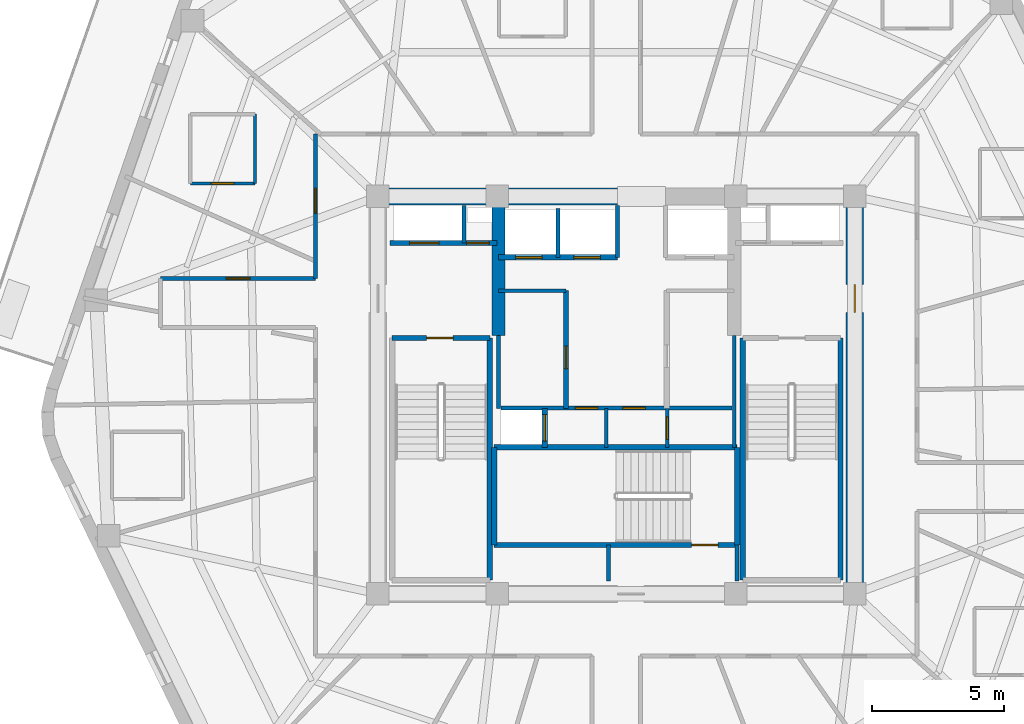
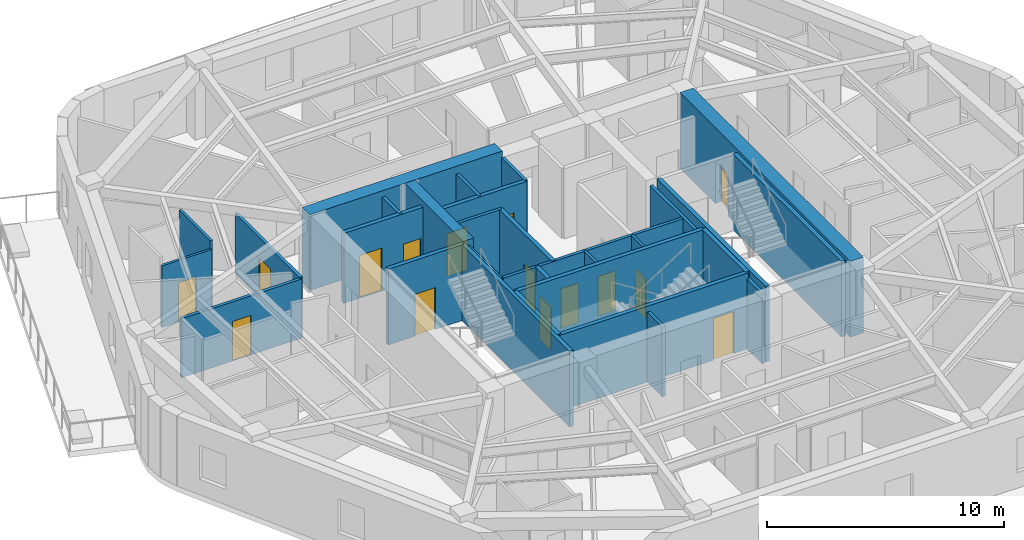
# One storey, part 4 of 9: 30 walls, 15 doors, 15 openings.
"""IFC4 building model written with IfcOpenShell, lengths in metres."""

import ifcopenshell
import ifcopenshell.guid

model = None  # the IFC model being written
_history = None  # IfcOwnerHistory: only IFC2X3 demands one
_inside = {}  # id of a spatial element -> (the spatial element, [elements in it])
_under = {}  # id of a project, library or spatial element -> (it, [spatial elements below it])
_declared = {}  # id of a project -> (the project, [libraries it declares])
_typed = {}  # id of a type object -> (the type object, [elements of that type])
_made_of = {}  # id of a material, layer set ... -> (it, [elements and type objects made of it])


def new_model(schema):
    """Start an empty IFC model of exactly this schema.

    Asked for "IFC4X3", IfcOpenShell would pick the latest addendum, in which some entities
    have other attributes; the version numbers below select the first issue.
    IFC2X3 requires an IfcOwnerHistory on every rooted entity: one is made here for all.
    """
    global model, _history
    if schema == "IFC4X3":
        model = ifcopenshell.file(schema_version=(4, 3, 0, 0))
    else:
        model = ifcopenshell.file(schema=schema)
    _inside.clear()
    _under.clear()
    _declared.clear()
    _typed.clear()
    _made_of.clear()
    _history = None
    if model.schema == "IFC2X3":
        org = make("IfcOrganization", Name="unknown")
        user = make(
            "IfcPersonAndOrganization",
            ThePerson=make("IfcPerson", FamilyName="unknown"),
            TheOrganization=org,
        )
        app = make(
            "IfcApplication",
            ApplicationDeveloper=org,
            Version="unknown",
            ApplicationFullName="unknown",
            ApplicationIdentifier="unknown",
        )
        _history = make(
            "IfcOwnerHistory",
            OwningUser=user,
            OwningApplication=app,
            ChangeAction="ADDED",
            CreationDate=0,
        )
    return model


def make(cls, **values):
    """One entity of the class cls with the attributes given. An attribute that is None is left unset."""
    return model.create_entity(
        cls, **{name: value for name, value in values.items() if value is not None}
    )


def rooted(cls, **values):
    """An entity with a GlobalId (a new one), such as an element, a storey or a relation."""
    return make(cls, GlobalId=ifcopenshell.guid.new(), OwnerHistory=_history, **values)


def si_unit(unit_type, name, prefix=None):
    """IfcSIUnit, for example si_unit("LENGTHUNIT", "METRE", prefix="MILLI")."""
    return make("IfcSIUnit", UnitType=unit_type, Prefix=prefix, Name=name)


def assignment(units):
    """IfcUnitAssignment: the units of a project."""
    return None if units is None else make("IfcUnitAssignment", Units=units)


def point(xyz):
    """IfcCartesianPoint."""
    return None if xyz is None else make("IfcCartesianPoint", Coordinates=xyz)


def direction(xyz):
    """IfcDirection."""
    return None if xyz is None else make("IfcDirection", DirectionRatios=xyz)


def frame(location, z_axis=None, x_axis=None):
    """IfcAxis2Placement3D, a coordinate frame: its origin and axes. An axis left out is left unset."""
    return make(
        "IfcAxis2Placement3D",
        Location=point(location),
        Axis=direction(z_axis),
        RefDirection=direction(x_axis),
    )


def frame_2d(location, x_axis=None):
    """IfcAxis2Placement2D, a coordinate frame in the plane: its origin and x axis."""
    return make(
        "IfcAxis2Placement2D", Location=point(location), RefDirection=direction(x_axis)
    )


def origin():
    """The frame at (0, 0, 0) with its axes left unset."""
    return frame((0.0, 0.0, 0.0))


def place(relative_to, where):
    """IfcLocalPlacement: puts the frame where relative to a parent placement (None: the world)."""
    return make(
        "IfcLocalPlacement", PlacementRelTo=relative_to, RelativePlacement=where
    )


def context(
    kind, dimensions, precision=None, world=None, true_north=None, identifier=None
):
    """IfcGeometricRepresentationContext, for example the 3D "Model" context."""
    return make(
        "IfcGeometricRepresentationContext",
        ContextIdentifier=identifier,
        ContextType=kind,
        CoordinateSpaceDimension=dimensions,
        Precision=precision,
        WorldCoordinateSystem=world,
        TrueNorth=true_north,
    )


def subcontext(parent, identifier, kind, view, scale=None):
    """IfcGeometricRepresentationSubContext, for example "Body" below "Model"."""
    return make(
        "IfcGeometricRepresentationSubContext",
        ContextIdentifier=identifier,
        ContextType=kind,
        ParentContext=parent,
        TargetScale=scale,
        TargetView=view,
    )


def project(units=None, contexts=None):
    """IfcProject with its units and contexts."""
    return rooted(
        "IfcProject",
        Name="project",
        RepresentationContexts=contexts,
        UnitsInContext=assignment(units),
    )


def spatial(cls, under=None, at=None, **own):
    """A site, building, storey or space (cls), placed at a placement, below another one or the project."""
    s = rooted(cls, ObjectPlacement=at, **own)
    if under is not None:
        _under.setdefault(under.id(), (under, []))[1].append(s)
    return s


def profile(cls, at=None, kind="AREA", **sizes):
    """A parametric profile (cls). Its sizes go by their IFC names, for example OverallWidth=200.0."""
    return make(cls, ProfileType=kind, Position=at, **sizes)


def rectangle(**sizes):
    """IfcRectangleProfileDef."""
    return profile("IfcRectangleProfileDef", **sizes)


def extrude(swept, where, along, depth):
    """IfcExtrudedAreaSolid: the profile swept, set in the frame where, extruded along a direction by depth."""
    return make(
        "IfcExtrudedAreaSolid",
        SweptArea=swept,
        Position=where,
        ExtrudedDirection=direction(along),
        Depth=depth,
    )


def shape(context_of_items, identifier, shape_type, items):
    """IfcShapeRepresentation: the items that make up one representation, for example the "Body"."""
    return make(
        "IfcShapeRepresentation",
        ContextOfItems=context_of_items,
        RepresentationIdentifier=identifier,
        RepresentationType=shape_type,
        Items=items,
    )


def material(Name=None, Category=None):
    """IfcMaterial."""
    return make("IfcMaterial", Name=Name, Category=Category)


def layer(
    of_material, thickness, ventilated=None, Name=None, Category=None, Priority=None
):
    """IfcMaterialLayer: one layer of a wall or slab, of a material (None: an air gap)."""
    return make(
        "IfcMaterialLayer",
        Material=of_material,
        LayerThickness=thickness,
        IsVentilated=ventilated,
        Name=Name,
        Category=Category,
        Priority=Priority,
    )


def layer_set(layers, Name=None):
    """IfcMaterialLayerSet."""
    return make("IfcMaterialLayerSet", MaterialLayers=layers, LayerSetName=Name)


def made_of(thing, what):
    """Note that an element or type object is made of a material, layer set ...; save() writes the relation."""
    if what is not None:
        _made_of.setdefault(what.id(), (what, []))[1].append(thing)
    return thing


def type_object(cls, material=None, **own):
    """A type object (cls), such as IfcWallType, which elements share."""
    return made_of(rooted(cls, **own), material)


def element(
    cls,
    number,
    at=None,
    inside=None,
    cuts=None,
    type_object=None,
    material=None,
    context=None,
    identifier="Body",
    shape_type=None,
    held_by="IfcProductDefinitionShape",
    body=None,
    shapes=None,
    **own,
):
    """One element of the class cls, such as IfcWall. Its Tag is "e" and its number.

    at: its placement. inside: the storey or other place that contains it. cuts: it is an
    opening in that element (IfcRelVoidsElement). A single representation is given by context,
    identifier, shape_type and body (its items); several are given by shapes. held_by: the class
    of the entity that holds the representations. save() writes the other relations.
    """
    e = rooted(cls, Tag="e%d" % number, ObjectPlacement=at, **own)
    if body is not None:
        shapes = [shape(context, identifier, shape_type, body)]
    if shapes is not None:
        e.Representation = make(held_by, Representations=shapes)
    if inside is not None:
        _inside.setdefault(inside.id(), (inside, []))[1].append(e)
    if cuts is not None:
        rooted(
            "IfcRelVoidsElement", RelatingBuildingElement=cuts, RelatedOpeningElement=e
        )
    if type_object is not None:
        _typed.setdefault(type_object.id(), (type_object, []))[1].append(e)
    return made_of(e, material)


def fill(opening, filler):
    """IfcRelFillsElement: the door or window that sits in an opening."""
    return rooted(
        "IfcRelFillsElement",
        RelatingOpeningElement=opening,
        RelatedBuildingElement=filler,
    )


def aggregate(whole, parts):
    """IfcRelAggregates: a whole, such as a stair, and the parts it consists of."""
    return rooted("IfcRelAggregates", RelatingObject=whole, RelatedObjects=parts)


def save(model, path):
    """Write the relations noted so far, then the file.

    IfcRelAggregates (storeys below a building ...), IfcRelContainedInSpatialStructure (elements
    in a storey), IfcRelDefinesByType, IfcRelAssociatesMaterial and IfcRelDeclares: one each for
    every whole, place, type object, material and project.
    """
    for whole, parts in _under.values():
        aggregate(whole, parts)
    for where, things in _inside.values():
        rooted(
            "IfcRelContainedInSpatialStructure",
            RelatedElements=things,
            RelatingStructure=where,
        )
    for kind, things in _typed.values():
        rooted("IfcRelDefinesByType", RelatedObjects=things, RelatingType=kind)
    for what, things in _made_of.values():
        rooted("IfcRelAssociatesMaterial", RelatedObjects=things, RelatingMaterial=what)
    for by, libraries in _declared.values():
        rooted("IfcRelDeclares", RelatingContext=by, RelatedDefinitions=libraries)
    model.write(path)


model = new_model("IFC4")

# Units and contexts
model_context = context("Model", 3, precision=1e-05, world=origin(), true_north=direction((0.0, 1.0)))
body_context = subcontext(model_context, "Body", "Model", "MODEL_VIEW")
ifc_project = project(units=[si_unit("LENGTHUNIT", "METRE"), si_unit("AREAUNIT", "SQUARE_METRE"), si_unit("VOLUMEUNIT", "CUBIC_METRE"), si_unit("PLANEANGLEUNIT", "RADIAN"), si_unit("MASSUNIT", "GRAM", prefix="KILO")], contexts=[model_context])

# Site, building, storey
site_placement = place(None, origin())
site = spatial("IfcSite", under=ifc_project, at=site_placement, CompositionType="ELEMENT")
building_placement = place(site_placement, origin())
building = spatial("IfcBuilding", under=site, at=building_placement, Name="Kilnhurst Terrace Hotel", CompositionType="ELEMENT")
storey_placement = place(building_placement, frame((0.0, 0.0, 265.199951171875)))
storey = spatial("IfcBuildingStorey", under=building, at=storey_placement, Name="L66", CompositionType="ELEMENT", Elevation=265.199951171875)

# Wall, opening, door
ifc_material_1 = material(Name="Acoustic Double-Gypsum Corridor Partition Assembly")
ifc_layer_1 = layer(ifc_material_1, 0.14990234375, Name="Acoustic Double-Gypsum Corridor Partition Assembly")
ifc_layer_set_1 = layer_set([ifc_layer_1], Name="Acoustic Double-Gypsum Corridor Partition Assembly")
wall_type_1 = type_object("IfcWallType", Name="WL-COR-150", PredefinedType="PARTITIONING", material=ifc_layer_set_1)
wall_1_placement = place(storey_placement, frame((-17.199951171875, 4.39990234375, 0.0), z_axis=(0.0, 0.0, 1.0), x_axis=(1.0, 0.0, 0.0)))
wall_1 = element("IfcWall", 1, at=wall_1_placement, inside=storey, type_object=wall_type_1, Name="L66 Interior Wall WL-L66-COR-04", PredefinedType="PARTITIONING", context=body_context, shape_type="SweptSolid", body=[
    extrude(rectangle(XDim=5.849853515625, YDim=0.14990234375, at=frame_2d((2.9248046875, 0.0))), origin(), (0.0, 0.0, 1.0), 3.04052734375),
])
opening_1_placement = place(wall_1_placement, frame((2.47509765625, 0.0, 0.0)))
opening_1 = element("IfcOpeningElement", 2, at=opening_1_placement, cuts=wall_1, Name="Opening D-60C", PredefinedType="OPENING", context=body_context, shape_type="SweptSolid", body=[
    extrude(rectangle(XDim=0.89990234375, YDim=2.030029296875, at=frame_2d((0.449951171875, 1.01513671875))), frame((0.0, 0.0849609375, 0.0), z_axis=(0.0, -1.0, 0.0), x_axis=(1.0, 0.0, 0.0)), (0.0, 0.0, 1.0), 0.169921875),
])
ifc_material_2 = material(Name="Painted Solid-Core Service Fire Door")
door_type_1 = type_object("IfcDoorType", Name="DR-FD60-900", OperationType="NOTDEFINED", PredefinedType="DOOR", material=ifc_material_2)
door_1_placement = place(opening_1_placement, origin())
door_1 = element("IfcDoor", 3, at=door_1_placement, inside=storey, type_object=door_type_1, Name="L66 Wellness Consultation Room Door 10", OperationType="SINGLE_SWING_RIGHT", OverallHeight=2.030029296875, OverallWidth=0.89990234375, PredefinedType="DOOR", context=body_context, shape_type="SweptSolid", body=[
    extrude(rectangle(XDim=0.89990234375, YDim=2.030029296875, at=frame_2d((0.449951171875, 1.01513671875))), frame((0.0, 0.02490234375, 0.0), z_axis=(0.0, -1.0, 0.0), x_axis=(1.0, 0.0, 0.0)), (0.0, 0.0, 1.0), 0.050048828125),
])
fill(opening_1, door_1)

wall_2_placement = place(storey_placement, frame((-11.35009765625, 4.39990234375, 0.0), z_axis=(0.0, 0.0, 1.0), x_axis=(0.0, 1.0, 0.0)))
wall_2 = element("IfcWall", 4, at=wall_2_placement, inside=storey, type_object=wall_type_1, Name="L66 Interior Wall WL-L66-COR-05", PredefinedType="PARTITIONING", context=body_context, shape_type="SweptSolid", body=[
    extrude(rectangle(XDim=5.4501953125, YDim=0.14990234375, at=frame_2d((2.72509765625, 0.0))), origin(), (0.0, 0.0, 1.0), 3.090087890625),
])
opening_2_placement = place(wall_2_placement, frame((2.4580078125, 0.0, 0.0)))
opening_2 = element("IfcOpeningElement", 5, at=opening_2_placement, cuts=wall_2, Name="Opening D-60B", PredefinedType="OPENING", context=body_context, shape_type="SweptSolid", body=[
    extrude(rectangle(XDim=0.949951171875, YDim=2.030029296875, at=frame_2d((0.47509765625, 1.01513671875))), frame((0.0, 0.0849609375, 0.0), z_axis=(0.0, -1.0, 0.0), x_axis=(1.0, 0.0, 0.0)), (0.0, 0.0, 1.0), 0.169921875),
])
ifc_material_3 = material(Name="Acoustic Walnut Veneer Solid-Core Fire Door")
door_type_2 = type_object("IfcDoorType", Name="DR-FD60-950", OperationType="NOTDEFINED", PredefinedType="DOOR", material=ifc_material_3)
door_2_placement = place(opening_2_placement, origin())
door_2 = element("IfcDoor", 6, at=door_2_placement, inside=storey, type_object=door_type_2, Name="L66 Guest Room Entry Door 9", OperationType="SINGLE_SWING_LEFT", OverallHeight=2.030029296875, OverallWidth=0.949951171875, PredefinedType="DOOR", context=body_context, shape_type="SweptSolid", body=[
    extrude(rectangle(XDim=0.949951171875, YDim=2.030029296875, at=frame_2d((0.47509765625, 1.01513671875))), frame((0.0, 0.02490234375, 0.0), z_axis=(0.0, -1.0, 0.0), x_axis=(1.0, 0.0, 0.0)), (0.0, 0.0, 1.0), 0.050048828125),
])
fill(opening_2, door_2)

# Wall
ifc_material_4 = material(Name="Concrete C60/75", Category="concrete")
ifc_layer_2 = layer(ifc_material_4, 0.64990234375, Name="Concrete C60/75")
ifc_layer_set_2 = layer_set([ifc_layer_2], Name="Concrete C60/75")
wall_type_2 = type_object("IfcWallType", Name="WL-CORE-650", PredefinedType="SHEAR", material=ifc_layer_set_2)
wall_3_placement = place(storey_placement, frame((-9.324951171875, 7.5, 0.0), z_axis=(0.0, 0.0, 1.0), x_axis=(1.0, 0.0, 0.0)))
element("IfcWall", 7, at=wall_3_placement, inside=storey, type_object=wall_type_2, Name="L66 Core North West Shear Wall", PredefinedType="SHEAR", context=body_context, shape_type="SweptSolid", body=[
    extrude(rectangle(XDim=9.375, YDim=0.64990234375, at=frame_2d((4.6875, 0.0))), origin(), (0.0, 0.0, 1.0), 3.900146484375),
])

# Wall, opening, door
wall_4_placement = place(storey_placement, frame((9.0, -7.175048828125, 0.0), z_axis=(0.0, 0.0, 1.0), x_axis=(0.0, 1.0, 0.0)))
wall_4 = element("IfcWall", 8, at=wall_4_placement, inside=storey, type_object=wall_type_2, Name="L66 Core East Shear Wall", PredefinedType="SHEAR", context=body_context, shape_type="SweptSolid", body=[
    extrude(rectangle(XDim=14.35009765625, YDim=0.64990234375, at=frame_2d((7.175048828125, 0.0))), origin(), (0.0, 0.0, 1.0), 3.900146484375),
])
opening_3_placement = place(wall_4_placement, frame((10.300048828125, 0.0, 0.0)))
opening_3 = element("IfcOpeningElement", 9, at=opening_3_placement, cuts=wall_4, Name="Opening D-90A", PredefinedType="OPENING", context=body_context, shape_type="SweptSolid", body=[
    extrude(rectangle(XDim=1.050048828125, YDim=2.14990234375, at=frame_2d((0.52490234375, 1.074951171875))), frame((0.0, 0.3349609375, 0.0), z_axis=(0.0, -1.0, 0.0), x_axis=(1.0, 0.0, 0.0)), (0.0, 0.0, 1.0), 0.669921875),
])
ifc_material_5 = material(Name="Painted Hollow Metal Steel ASTM A36 Fire Door", Category="steel")
door_type_3 = type_object("IfcDoorType", Name="DR-FD90-1050", OperationType="NOTDEFINED", PredefinedType="DOOR", material=ifc_material_5)
door_3_placement = place(opening_3_placement, origin())
door_3 = element("IfcDoor", 10, at=door_3_placement, inside=storey, type_object=door_type_3, Name="L66 East Firefighting Lobby Door", OperationType="SINGLE_SWING_LEFT", OverallHeight=2.14990234375, OverallWidth=1.050048828125, PredefinedType="DOOR", context=body_context, shape_type="SweptSolid", body=[
    extrude(rectangle(XDim=1.050048828125, YDim=2.14990234375, at=frame_2d((0.52490234375, 1.074951171875))), frame((0.0, 0.02490234375, 0.0), z_axis=(0.0, -1.0, 0.0), x_axis=(1.0, 0.0, 0.0)), (0.0, 0.0, 1.0), 0.050048828125),
])
fill(opening_3, door_3)

# Walls
ifc_layer_3 = layer(ifc_material_4, 0.5, Name="Concrete C60/75")
ifc_layer_set_3 = layer_set([ifc_layer_3], Name="Concrete C60/75")
wall_type_3 = type_object("IfcWallType", Name="WL-CORE-WEB-500", PredefinedType="SHEAR", material=ifc_layer_set_3)
wall_5_placement = place(storey_placement, frame((-4.449951171875, 2.25, 0.0), z_axis=(0.0, 0.0, 1.0), x_axis=(0.0, 1.0, 0.0)))
element("IfcWall", 11, at=wall_5_placement, inside=storey, type_object=wall_type_3, Name="L66 Core Internal West Shear Web", PredefinedType="SHEAR", context=body_context, shape_type="SweptSolid", body=[
    extrude(rectangle(XDim=4.925048828125, YDim=0.5, at=frame_2d((2.46240234375, 0.0))), origin(), (0.0, 0.0, 1.0), 3.900146484375),
])
ifc_material_6 = material(Name="120 mm Moisture-Resistant Tile-Backed Bathroom Partition")
ifc_layer_4 = layer(ifc_material_6, 0.1201171875, Name="120 mm Moisture-Resistant Tile-Backed Bathroom Partition")
ifc_layer_set_4 = layer_set([ifc_layer_4], Name="120 mm Moisture-Resistant Tile-Backed Bathroom Partition")
wall_type_4 = type_object("IfcWallType", Name="WL-PART-120", PredefinedType="PARTITIONING", material=ifc_layer_set_4)
wall_6_placement = place(storey_placement, frame((-0.3798828125, -1.971923828125, 0.0), z_axis=(0.0, 0.0, 1.0), x_axis=(0.0, 1.0, 0.0)))
element("IfcWall", 12, at=wall_6_placement, inside=storey, type_object=wall_type_4, Name="L66 Interior Wall WL-L66-BOH-C1", PredefinedType="PARTITIONING", context=body_context, shape_type="SweptSolid", body=[
    extrude(rectangle(XDim=1.471923828125, YDim=0.1201171875, at=frame_2d((0.73583984375, 0.0))), origin(), (0.0, 0.0, 1.0), 3.60009765625),
])

# Wall, opening, door
wall_7_placement = place(storey_placement, frame((1.919921875, -1.971923828125, 0.0), z_axis=(0.0, 0.0, 1.0), x_axis=(0.0, 1.0, 0.0)))
wall_7 = element("IfcWall", 13, at=wall_7_placement, inside=storey, type_object=wall_type_4, Name="L66 Interior Wall WL-L66-BOH-C2", PredefinedType="PARTITIONING", context=body_context, shape_type="SweptSolid", body=[
    extrude(rectangle(XDim=1.471923828125, YDim=0.1201171875, at=frame_2d((0.73583984375, 0.0))), origin(), (0.0, 0.0, 1.0), 3.60009765625),
])
opening_4_placement = place(wall_7_placement, frame((0.300048828125, 0.0, 0.0)))
opening_4 = element("IfcOpeningElement", 14, at=opening_4_placement, cuts=wall_7, Name="Opening D-08A", PredefinedType="OPENING", context=body_context, shape_type="SweptSolid", body=[
    extrude(rectangle(XDim=0.85009765625, YDim=2.030029296875, at=frame_2d((0.425048828125, 1.01513671875))), frame((0.0, 0.070068359375, 0.0), z_axis=(0.0, -1.0, 0.0), x_axis=(1.0, 0.0, 0.0)), (0.0, 0.0, 1.0), 0.14013671875),
])
ifc_material_7 = material(Name="Moisture-Resistant Lacquered En-suite Bathroom Door")
door_type_4 = type_object("IfcDoorType", Name="DR-INT-850", OperationType="NOTDEFINED", PredefinedType="DOOR", material=ifc_material_7)
door_4_placement = place(opening_4_placement, origin())
door_4 = element("IfcDoor", 15, at=door_4_placement, inside=storey, type_object=door_type_4, Name="L66 Staff Restroom Door", OperationType="SINGLE_SWING_RIGHT", OverallHeight=2.030029296875, OverallWidth=0.85009765625, PredefinedType="DOOR", context=body_context, shape_type="SweptSolid", body=[
    extrude(rectangle(XDim=0.85009765625, YDim=2.030029296875, at=frame_2d((0.425048828125, 1.01513671875))), frame((0.0, 0.02490234375, 0.0), z_axis=(0.0, -1.0, 0.0), x_axis=(1.0, 0.0, 0.0)), (0.0, 0.0, 1.0), 0.050048828125),
])
fill(opening_4, door_4)

wall_8_placement = place(storey_placement, frame((-16.0791015625, 7.991943359375, 0.0), z_axis=(0.0, 0.0, 1.0), x_axis=(1.0, 0.0, 0.0)))
wall_8 = element("IfcWall", 16, at=wall_8_placement, inside=storey, type_object=wall_type_4, Name="L66 Interior Wall WL-L66-BTH-09-1", PredefinedType="PARTITIONING", context=body_context, shape_type="SweptSolid", body=[
    extrude(rectangle(XDim=2.440185546875, YDim=0.1201171875, at=frame_2d((1.22021484375, 0.0))), origin(), (0.0, 0.0, 1.0), 3.17236328125),
])
opening_5_placement = place(wall_8_placement, frame((0.794921875, 0.0, 0.0)))
opening_5 = element("IfcOpeningElement", 17, at=opening_5_placement, cuts=wall_8, Name="Opening D-08A", PredefinedType="OPENING", context=body_context, shape_type="SweptSolid", body=[
    extrude(rectangle(XDim=0.85009765625, YDim=2.030029296875, at=frame_2d((0.425048828125, 1.01513671875))), frame((0.0, 0.070068359375, 0.0), z_axis=(0.0, -1.0, 0.0), x_axis=(1.0, 0.0, 0.0)), (0.0, 0.0, 1.0), 0.14013671875),
])
door_5_placement = place(opening_5_placement, origin())
door_5 = element("IfcDoor", 18, at=door_5_placement, inside=storey, type_object=door_type_4, Name="L66 En-suite Bathroom Door 9", OperationType="SINGLE_SWING_RIGHT", OverallHeight=2.030029296875, OverallWidth=0.85009765625, PredefinedType="DOOR", context=body_context, shape_type="SweptSolid", body=[
    extrude(rectangle(XDim=0.85009765625, YDim=2.030029296875, at=frame_2d((0.425048828125, 1.01513671875))), frame((0.0, 0.02490234375, 0.0), z_axis=(0.0, -1.0, 0.0), x_axis=(1.0, 0.0, 0.0)), (0.0, 0.0, 1.0), 0.050048828125),
])
fill(opening_5, door_5)

# Walls
wall_9_placement = place(storey_placement, frame((-13.638916015625, 7.991943359375, 0.0), z_axis=(0.0, 0.0, 1.0), x_axis=(0.0, 1.0, 0.0)))
element("IfcWall", 19, at=wall_9_placement, inside=storey, type_object=wall_type_4, Name="L66 Interior Wall WL-L66-BTH-09-2", PredefinedType="PARTITIONING", context=body_context, shape_type="SweptSolid", body=[
    extrude(rectangle(XDim=2.610107421875, YDim=0.1201171875, at=frame_2d((1.30517578125, 0.0))), origin(), (0.0, 0.0, 1.0), 3.60009765625),
])
ifc_material_8 = material(Name="Fire-Rated Gypsum Shaftliner Assembly")
ifc_layer_5 = layer(ifc_material_8, 0.14990234375, Name="Fire-Rated Gypsum Shaftliner Assembly")
ifc_layer_set_5 = layer_set([ifc_layer_5], Name="Fire-Rated Gypsum Shaftliner Assembly")
wall_type_5 = type_object("IfcWallType", Name="WL-SHAFT-150", PredefinedType="PARTITIONING", material=ifc_layer_set_5)
for number, where, z_axis, x_axis, name in (
    (20, (-0.300048828125, -7.02001953125, 0.0), (0.0, 0.0, 1.0), (0.0, 1.0, 0.0), "L66 Interior Wall WL-L66-ST3-PSGW"),
    (21, (4.55810546875, -7.02001953125, 0.0), (0.0, 0.0, 1.0), (0.0, 1.0, 0.0), "L66 Interior Wall WL-L66-ST3-PSGE"),
):
    element("IfcWall", number, at=place(storey_placement, frame(where, z_axis=z_axis, x_axis=x_axis)), inside=storey, type_object=wall_type_5, Name=name, PredefinedType="PARTITIONING", context=body_context, shape_type="SweptSolid", body=[
        extrude(rectangle(XDim=1.362060546875, YDim=0.14990234375, at=frame_2d((0.68115234375, 0.0))), origin(), (0.0, 0.0, 1.0), 3.60009765625),
    ])
wall_10_placement = place(storey_placement, frame((-5.75, 5.739990234375, 0.0), z_axis=(0.0, 0.0, 1.0), x_axis=(0.0, 1.0, 0.0)))
element("IfcWall", 22, at=wall_10_placement, inside=storey, type_object=wall_type_5, Name="L66 Interior Wall WL-L66-RIS1-DIV", PredefinedType="PARTITIONING", context=body_context, shape_type="SweptSolid", body=[
    extrude(rectangle(XDim=1.409912109375, YDim=0.14990234375, at=frame_2d((0.705078125, 0.0))), origin(), (0.0, 0.0, 1.0), 3.60009765625),
])
wall_11_placement = place(storey_placement, frame((-2.199951171875, 5.199951171875, 0.0), z_axis=(0.0, 0.0, 1.0), x_axis=(0.0, 1.0, 0.0)))
element("IfcWall", 23, at=wall_11_placement, inside=storey, type_object=wall_type_5, Name="L66 Interior Wall WL-L66-HR-DIV1", PredefinedType="PARTITIONING", context=body_context, shape_type="SweptSolid", body=[
    extrude(rectangle(XDim=1.85009765625, YDim=0.14990234375, at=frame_2d((0.925048828125, 0.0))), origin(), (0.0, 0.0, 1.0), 3.60009765625),
])
wall_12_placement = place(storey_placement, frame((0.050048828125, 5.199951171875, 0.0), z_axis=(0.0, 0.0, 1.0), x_axis=(0.0, 1.0, 0.0)))
element("IfcWall", 24, at=wall_12_placement, inside=storey, type_object=wall_type_5, Name="L66 Interior Wall WL-L66-HR-PORTAL-W", PredefinedType="PARTITIONING", context=body_context, shape_type="SweptSolid", body=[
    extrude(rectangle(XDim=1.949951171875, YDim=0.14990234375, at=frame_2d((0.97509765625, 0.0))), origin(), (0.0, 0.0, 1.0), 3.60009765625),
])
wall_13_placement = place(storey_placement, frame((-4.449951171875, -0.5, 0.0), z_axis=(0.0, 0.0, 1.0), x_axis=(0.0, 1.0, 0.0)))
element("IfcWall", 25, at=wall_13_placement, inside=storey, type_object=wall_type_5, Name="L66 Interior Wall WL-L66-XLOB-W", PredefinedType="PARTITIONING", context=body_context, shape_type="SweptSolid", body=[
    extrude(rectangle(XDim=2.75, YDim=0.14990234375, at=frame_2d((1.375, 0.0))), origin(), (0.0, 0.0, 1.0), 3.60009765625),
])
wall_14_placement = place(storey_placement, frame((4.449951171875, -1.971923828125, 0.0), z_axis=(0.0, 0.0, 1.0), x_axis=(0.0, 1.0, 0.0)))
element("IfcWall", 26, at=wall_14_placement, inside=storey, type_object=wall_type_5, Name="L66 Interior Wall WL-L66-XLOB-E", PredefinedType="PARTITIONING", context=body_context, shape_type="SweptSolid", body=[
    extrude(rectangle(XDim=4.221923828125, YDim=0.14990234375, at=frame_2d((2.11083984375, 0.0))), origin(), (0.0, 0.0, 1.0), 3.60009765625),
])
wall_15_placement = place(storey_placement, frame((-4.449951171875, 3.93994140625, 0.0), z_axis=(0.0, 0.0, 1.0), x_axis=(1.0, 0.0, 0.0)))
element("IfcWall", 27, at=wall_15_placement, inside=storey, type_object=wall_type_5, Name="L66 Interior Wall WL-L66-LR-NORTH", PredefinedType="PARTITIONING", context=body_context, shape_type="SweptSolid", body=[
    extrude(rectangle(XDim=2.550048828125, YDim=0.14990234375, at=frame_2d((1.27490234375, 0.0))), origin(), (0.0, 0.0, 1.0), 3.60009765625),
])

# Wall, openings, doors
wall_16_placement = place(storey_placement, frame((-4.360107421875, -0.489990234375, 0.0), z_axis=(0.0, 0.0, 1.0), x_axis=(1.0, 0.0, 0.0)))
wall_16 = element("IfcWall", 28, at=wall_16_placement, inside=storey, type_object=wall_type_5, Name="L66 Interior Wall WL-L66-BOH-N", PredefinedType="PARTITIONING", context=body_context, shape_type="SweptSolid", body=[
    extrude(rectangle(XDim=8.72021484375, YDim=0.14990234375, at=frame_2d((4.360107421875, 0.0))), origin(), (0.0, 0.0, 1.0), 3.60009765625),
])
opening_6_placement = place(wall_16_placement, frame((2.81005859375, 0.0, 0.0)))
opening_6 = element("IfcOpeningElement", 29, at=opening_6_placement, cuts=wall_16, Name="Opening D-60D", PredefinedType="OPENING", context=body_context, shape_type="SweptSolid", body=[
    extrude(rectangle(XDim=0.85009765625, YDim=2.030029296875, at=frame_2d((0.425048828125, 1.01513671875))), frame((0.0, 0.0849609375, 0.0), z_axis=(0.0, -1.0, 0.0), x_axis=(1.0, 0.0, 0.0)), (0.0, 0.0, 1.0), 0.169921875),
])
opening_7_placement = place(wall_16_placement, frame((4.610107421875, 0.0, 0.0)))
opening_7 = element("IfcOpeningElement", 30, at=opening_7_placement, cuts=wall_16, Name="Opening D-60D", PredefinedType="OPENING", context=body_context, shape_type="SweptSolid", body=[
    extrude(rectangle(XDim=0.85009765625, YDim=2.030029296875, at=frame_2d((0.425048828125, 1.01513671875))), frame((0.0, 0.0849609375, 0.0), z_axis=(0.0, -1.0, 0.0), x_axis=(1.0, 0.0, 0.0)), (0.0, 0.0, 1.0), 0.169921875),
])
ifc_material_9 = material(Name="Painted Hollow Metal Steel ASTM A36 Riser Door", Category="steel")
door_type_5 = type_object("IfcDoorType", Name="DR-FD60-850", OperationType="NOTDEFINED", PredefinedType="DOOR", material=ifc_material_9)
door_6_placement = place(opening_6_placement, origin())
door_6 = element("IfcDoor", 31, at=door_6_placement, inside=storey, type_object=door_type_5, Name="L66 Housekeeping Station Door", OperationType="SINGLE_SWING_LEFT", OverallHeight=2.030029296875, OverallWidth=0.85009765625, PredefinedType="DOOR", context=body_context, shape_type="SweptSolid", body=[
    extrude(rectangle(XDim=0.85009765625, YDim=2.030029296875, at=frame_2d((0.425048828125, 1.01513671875))), frame((0.0, 0.02490234375, 0.0), z_axis=(0.0, -1.0, 0.0), x_axis=(1.0, 0.0, 0.0)), (0.0, 0.0, 1.0), 0.050048828125),
])
fill(opening_6, door_6)
door_7_placement = place(opening_7_placement, origin())
door_7 = element("IfcDoor", 32, at=door_7_placement, inside=storey, type_object=door_type_5, Name="L66 Beverage Pantry Door", OperationType="SINGLE_SWING_RIGHT", OverallHeight=2.030029296875, OverallWidth=0.85009765625, PredefinedType="DOOR", context=body_context, shape_type="SweptSolid", body=[
    extrude(rectangle(XDim=0.85009765625, YDim=2.030029296875, at=frame_2d((0.425048828125, 1.01513671875))), frame((0.0, 0.02490234375, 0.0), z_axis=(0.0, -1.0, 0.0), x_axis=(1.0, 0.0, 0.0)), (0.0, 0.0, 1.0), 0.050048828125),
])
fill(opening_7, door_7)

ifc_material_10 = material(Name="Autoclaved Aerated Concrete C30/37 and Gypsum Shaft Assembly", Category="concrete")
ifc_layer_6 = layer(ifc_material_10, 0.199951171875, Name="Autoclaved Aerated Concrete C30/37 and Gypsum Shaft Assembly")
ifc_layer_set_6 = layer_set([ifc_layer_6], Name="Autoclaved Aerated Concrete C30/37 and Gypsum Shaft Assembly")
wall_type_6 = type_object("IfcWallType", Name="WL-SHAFT-200", PredefinedType="PARTITIONING", material=ifc_layer_set_6)
wall_17_placement = place(storey_placement, frame((-8.550048828125, 5.739990234375, 0.0), z_axis=(0.0, 0.0, 1.0), x_axis=(1.0, 0.0, 0.0)))
wall_17 = element("IfcWall", 33, at=wall_17_placement, inside=storey, type_object=wall_type_6, Name="L66 Interior Wall WL-L66-FSAE1-S", PredefinedType="PARTITIONING", context=body_context, shape_type="SweptSolid", body=[
    extrude(rectangle(XDim=4.050048828125, YDim=0.199951171875, at=frame_2d((2.02490234375, 0.0))), origin(), (0.0, 0.0, 1.0), 3.60009765625),
])
opening_8_placement = place(wall_17_placement, frame((0.75, 0.0, 0.0)))
opening_8 = element("IfcOpeningElement", 34, at=opening_8_placement, cuts=wall_17, Name="Opening LD-F1", PredefinedType="OPENING", context=body_context, shape_type="SweptSolid", body=[
    extrude(rectangle(XDim=1.10009765625, YDim=2.199951171875, at=frame_2d((0.550048828125, 1.10009765625))), frame((0.0, 0.10986328125, 0.0), z_axis=(0.0, -1.0, 0.0), x_axis=(1.0, 0.0, 0.0)), (0.0, 0.0, 1.0), 0.219970703125),
])
opening_9_placement = place(wall_17_placement, frame((2.89990234375, 0.0, 0.0)))
opening_9 = element("IfcOpeningElement", 35, at=opening_9_placement, cuts=wall_17, Name="Opening D-60D", PredefinedType="OPENING", context=body_context, shape_type="SweptSolid", body=[
    extrude(rectangle(XDim=0.85009765625, YDim=2.030029296875, at=frame_2d((0.425048828125, 1.01513671875))), frame((0.0, 0.10986328125, 0.0), z_axis=(0.0, -1.0, 0.0), x_axis=(1.0, 0.0, 0.0)), (0.0, 0.0, 1.0), 0.219970703125),
])
door_8_placement = place(opening_9_placement, origin())
door_8 = element("IfcDoor", 36, at=door_8_placement, inside=storey, type_object=door_type_5, Name="L66 Electrical Riser Door", OperationType="SINGLE_SWING_LEFT", OverallHeight=2.030029296875, OverallWidth=0.85009765625, PredefinedType="DOOR", context=body_context, shape_type="SweptSolid", body=[
    extrude(rectangle(XDim=0.85009765625, YDim=2.030029296875, at=frame_2d((0.425048828125, 1.01513671875))), frame((0.0, 0.02490234375, 0.0), z_axis=(0.0, -1.0, 0.0), x_axis=(1.0, 0.0, 0.0)), (0.0, 0.0, 1.0), 0.050048828125),
])
fill(opening_9, door_8)
ifc_material_11 = material(Name="Bronze-Anodized Stainless Steel AISI 316L Sliding Door", Category="steel")
door_type_6 = type_object("IfcDoorType", Name="DR-LIFT-1100", OperationType="NOTDEFINED", PredefinedType="DOOR", material=ifc_material_11)
door_9_placement = place(opening_8_placement, origin())
door_9 = element("IfcDoor", 37, at=door_9_placement, inside=storey, type_object=door_type_6, Name="L66 FSAE-1 Landing Door", OperationType="SLIDING_TO_LEFT", OverallHeight=2.199951171875, OverallWidth=1.10009765625, PredefinedType="DOOR", context=body_context, shape_type="SweptSolid", body=[
    extrude(rectangle(XDim=1.10009765625, YDim=2.199951171875, at=frame_2d((0.550048828125, 1.10009765625))), frame((0.0, 0.02490234375, 0.0), z_axis=(0.0, -1.0, 0.0), x_axis=(1.0, 0.0, 0.0)), (0.0, 0.0, 1.0), 0.050048828125),
])
fill(opening_8, door_9)

# Wall, opening, door
wall_18_placement = place(storey_placement, frame((-2.699951171875, -1.971923828125, 0.0), z_axis=(0.0, 0.0, 1.0), x_axis=(0.0, 1.0, 0.0)))
wall_18 = element("IfcWall", 38, at=wall_18_placement, inside=storey, type_object=wall_type_6, Name="L66 Interior Wall WL-L66-SRV1-E", PredefinedType="PARTITIONING", context=body_context, shape_type="SweptSolid", body=[
    extrude(rectangle(XDim=1.471923828125, YDim=0.199951171875, at=frame_2d((0.73583984375, 0.0))), origin(), (0.0, 0.0, 1.0), 3.60009765625),
])
opening_10_placement = place(wall_18_placement, frame((0.239990234375, 0.0, 0.0)))
opening_10 = element("IfcOpeningElement", 39, at=opening_10_placement, cuts=wall_18, Name="Opening LD-SV", PredefinedType="OPENING", context=body_context, shape_type="SweptSolid", body=[
    extrude(rectangle(XDim=1.0, YDim=2.199951171875, at=frame_2d((0.5, 1.10009765625))), frame((0.0, 0.10986328125, 0.0), z_axis=(0.0, -1.0, 0.0), x_axis=(1.0, 0.0, 0.0)), (0.0, 0.0, 1.0), 0.219970703125),
])
door_type_7 = type_object("IfcDoorType", Name="DR-LIFT-1000", OperationType="NOTDEFINED", PredefinedType="DOOR", material=ifc_material_11)
door_10_placement = place(opening_10_placement, origin())
door_10 = element("IfcDoor", 40, at=door_10_placement, inside=storey, type_object=door_type_7, Name="L66 Service Lift SRV-1 Landing Door", OperationType="SLIDING_TO_LEFT", OverallHeight=2.199951171875, OverallWidth=1.0, PredefinedType="DOOR", context=body_context, shape_type="SweptSolid", body=[
    extrude(rectangle(XDim=1.0, YDim=2.199951171875, at=frame_2d((0.5, 1.10009765625))), frame((0.0, 0.02490234375, 0.0), z_axis=(0.0, -1.0, 0.0), x_axis=(1.0, 0.0, 0.0)), (0.0, 0.0, 1.0), 0.050048828125),
])
fill(opening_10, door_10)

# Wall, openings, doors
wall_19_placement = place(storey_placement, frame((-4.449951171875, 5.199951171875, 0.0), z_axis=(0.0, 0.0, 1.0), x_axis=(1.0, 0.0, 0.0)))
wall_19 = element("IfcWall", 41, at=wall_19_placement, inside=storey, type_object=wall_type_6, Name="L66 Interior Wall WL-L66-HR-SW", PredefinedType="PARTITIONING", context=body_context, shape_type="SweptSolid", body=[
    extrude(rectangle(XDim=4.5, YDim=0.199951171875, at=frame_2d((2.25, 0.0))), origin(), (0.0, 0.0, 1.0), 3.60009765625),
])
opening_11_placement = place(wall_19_placement, frame((0.64990234375, 0.0, 0.0)))
opening_11 = element("IfcOpeningElement", 42, at=opening_11_placement, cuts=wall_19, Name="Opening LD-HR", PredefinedType="OPENING", context=body_context, shape_type="SweptSolid", body=[
    extrude(rectangle(XDim=1.0, YDim=2.199951171875, at=frame_2d((0.5, 1.10009765625))), frame((0.0, 0.10986328125, 0.0), z_axis=(0.0, -1.0, 0.0), x_axis=(1.0, 0.0, 0.0)), (0.0, 0.0, 1.0), 0.219970703125),
])
opening_12_placement = place(wall_19_placement, frame((2.85009765625, 0.0, 0.0)))
opening_12 = element("IfcOpeningElement", 43, at=opening_12_placement, cuts=wall_19, Name="Opening LD-HS", PredefinedType="OPENING", context=body_context, shape_type="SweptSolid", body=[
    extrude(rectangle(XDim=1.0, YDim=2.199951171875, at=frame_2d((0.5, 1.10009765625))), frame((0.0, 0.10986328125, 0.0), z_axis=(0.0, -1.0, 0.0), x_axis=(1.0, 0.0, 0.0)), (0.0, 0.0, 1.0), 0.219970703125),
])
door_11_placement = place(opening_11_placement, origin())
door_11 = element("IfcDoor", 44, at=door_11_placement, inside=storey, type_object=door_type_7, Name="L66 High Rise Lift HR-1 Landing Door", OperationType="SLIDING_TO_LEFT", OverallHeight=2.199951171875, OverallWidth=1.0, PredefinedType="DOOR", context=body_context, shape_type="SweptSolid", body=[
    extrude(rectangle(XDim=1.0, YDim=2.199951171875, at=frame_2d((0.5, 1.10009765625))), frame((0.0, 0.02490234375, 0.0), z_axis=(0.0, -1.0, 0.0), x_axis=(1.0, 0.0, 0.0)), (0.0, 0.0, 1.0), 0.050048828125),
])
fill(opening_11, door_11)
door_12_placement = place(opening_12_placement, origin())
door_12 = element("IfcDoor", 45, at=door_12_placement, inside=storey, type_object=door_type_7, Name="L66 High Rise Lift HR-3 Landing Door", OperationType="SLIDING_TO_RIGHT", OverallHeight=2.199951171875, OverallWidth=1.0, PredefinedType="DOOR", context=body_context, shape_type="SweptSolid", body=[
    extrude(rectangle(XDim=1.0, YDim=2.199951171875, at=frame_2d((0.5, 1.10009765625))), frame((0.0, 0.02490234375, 0.0), z_axis=(0.0, -1.0, 0.0), x_axis=(1.0, 0.0, 0.0)), (0.0, 0.0, 1.0), 0.050048828125),
])
fill(opening_12, door_12)

# Wall, opening, door
wall_20_placement = place(storey_placement, frame((-1.89990234375, -0.5, 0.0), z_axis=(0.0, 0.0, 1.0), x_axis=(0.0, 1.0, 0.0)))
wall_20 = element("IfcWall", 46, at=wall_20_placement, inside=storey, type_object=wall_type_6, Name="L66 Interior Wall WL-L66-LR-FRONT", PredefinedType="PARTITIONING", context=body_context, shape_type="SweptSolid", body=[
    extrude(rectangle(XDim=4.43994140625, YDim=0.199951171875, at=frame_2d((2.219970703125, 0.0))), origin(), (0.0, 0.0, 1.0), 3.60009765625),
])
opening_13_placement = place(wall_20_placement, frame((1.5, 0.0, 0.0)))
opening_13 = element("IfcOpeningElement", 47, at=opening_13_placement, cuts=wall_20, Name="Opening D-60D", PredefinedType="OPENING", context=body_context, shape_type="SweptSolid", body=[
    extrude(rectangle(XDim=0.85009765625, YDim=2.030029296875, at=frame_2d((0.425048828125, 1.01513671875))), frame((0.0, 0.10986328125, 0.0), z_axis=(0.0, -1.0, 0.0), x_axis=(1.0, 0.0, 0.0)), (0.0, 0.0, 1.0), 0.219970703125),
])
door_13_placement = place(opening_13_placement, origin())
door_13 = element("IfcDoor", 48, at=door_13_placement, inside=storey, type_object=door_type_5, Name="L66 Reclaimed Linen Room Door", OperationType="SINGLE_SWING_LEFT", OverallHeight=2.030029296875, OverallWidth=0.85009765625, PredefinedType="DOOR", context=body_context, shape_type="SweptSolid", body=[
    extrude(rectangle(XDim=0.85009765625, YDim=2.030029296875, at=frame_2d((0.425048828125, 1.01513671875))), frame((0.0, 0.02490234375, 0.0), z_axis=(0.0, -1.0, 0.0), x_axis=(1.0, 0.0, 0.0)), (0.0, 0.0, 1.0), 0.050048828125),
])
fill(opening_13, door_13)

# Wall
ifc_material_12 = material(Name="Concrete C50/60", Category="concrete")
ifc_layer_7 = layer(ifc_material_12, 0.199951171875, Name="Concrete C50/60")
ifc_layer_set_7 = layer_set([ifc_layer_7], Name="Concrete C50/60")
wall_type_7 = type_object("IfcWallType", Name="WL-STAIR-RC-200", PredefinedType="SHEAR", material=ifc_layer_set_7)
wall_21_placement = place(storey_placement, frame((-4.77197265625, -6.985107421875, 0.0), z_axis=(0.0, 0.0, 1.0), x_axis=(0.0, 1.0, 0.0)))
element("IfcWall", 49, at=wall_21_placement, inside=storey, type_object=wall_type_7, Name="L66 Structural Stair Shaft Wall WL-L66-ST1-E", PredefinedType="SHEAR", context=body_context, shape_type="SweptSolid", body=[
    extrude(rectangle(XDim=9.14306640625, YDim=0.199951171875, at=frame_2d((4.571533203125, 0.0))), origin(), (0.0, 0.0, 1.0), 3.900146484375),
])

# Wall, opening, door
wall_22_placement = place(storey_placement, frame((-8.4580078125, 2.157958984375, 0.0), z_axis=(0.0, 0.0, 1.0), x_axis=(1.0, 0.0, 0.0)))
wall_22 = element("IfcWall", 50, at=wall_22_placement, inside=storey, type_object=wall_type_7, Name="L66 Structural Stair Shaft Wall WL-L66-ST1-N", PredefinedType="SHEAR", context=body_context, shape_type="SweptSolid", body=[
    extrude(rectangle(XDim=3.68603515625, YDim=0.199951171875, at=frame_2d((1.843017578125, 0.0))), origin(), (0.0, 0.0, 1.0), 3.900146484375),
])
opening_14_placement = place(wall_22_placement, frame((1.300048828125, 0.0, 0.0)))
opening_14 = element("IfcOpeningElement", 51, at=opening_14_placement, cuts=wall_22, Name="Opening D-90B", PredefinedType="OPENING", context=body_context, shape_type="SweptSolid", body=[
    extrude(rectangle(XDim=1.0, YDim=2.14990234375, at=frame_2d((0.5, 1.074951171875))), frame((0.0, 0.10986328125, 0.0), z_axis=(0.0, -1.0, 0.0), x_axis=(1.0, 0.0, 0.0)), (0.0, 0.0, 1.0), 0.219970703125),
])
door_type_8 = type_object("IfcDoorType", Name="DR-FD90-1000", OperationType="NOTDEFINED", PredefinedType="DOOR", material=ifc_material_5)
door_14_placement = place(opening_14_placement, origin())
door_14 = element("IfcDoor", 52, at=door_14_placement, inside=storey, type_object=door_type_8, Name="L66 Stair ST-1 Door", OperationType="SINGLE_SWING_LEFT", OverallHeight=2.14990234375, OverallWidth=1.0, PredefinedType="DOOR", context=body_context, shape_type="SweptSolid", body=[
    extrude(rectangle(XDim=1.0, YDim=2.14990234375, at=frame_2d((0.5, 1.074951171875))), frame((0.0, 0.02490234375, 0.0), z_axis=(0.0, -1.0, 0.0), x_axis=(1.0, 0.0, 0.0)), (0.0, 0.0, 1.0), 0.050048828125),
])
fill(opening_14, door_14)

# Walls
for number, where, z_axis, x_axis, name in (
    (53, (4.77197265625, -6.985107421875, 0.0), (0.0, 0.0, 1.0), (0.0, 1.0, 0.0), "L66 Structural Stair Shaft Wall WL-L66-ST2-W"),
    (54, (8.4580078125, -6.985107421875, 0.0), (0.0, 0.0, 1.0), (0.0, 1.0, 0.0), "L66 Structural Stair Shaft Wall WL-L66-ST2-E"),
):
    element("IfcWall", number, at=place(storey_placement, frame(where, z_axis=z_axis, x_axis=x_axis)), inside=storey, type_object=wall_type_7, Name=name, PredefinedType="SHEAR", context=body_context, shape_type="SweptSolid", body=[
        extrude(rectangle(XDim=9.14306640625, YDim=0.199951171875, at=frame_2d((4.571533203125, 0.0))), origin(), (0.0, 0.0, 1.0), 3.900146484375),
    ])
wall_23_placement = place(storey_placement, frame((-4.60791015625, -5.657958984375, 0.0), z_axis=(0.0, 0.0, 1.0), x_axis=(0.0, 1.0, 0.0)))
element("IfcWall", 55, at=wall_23_placement, inside=storey, type_object=wall_type_7, Name="L66 Structural Stair Shaft Wall WL-L66-ST3-W", PredefinedType="SHEAR", context=body_context, shape_type="SweptSolid", body=[
    extrude(rectangle(XDim=3.68603515625, YDim=0.199951171875, at=frame_2d((1.843017578125, 0.0))), origin(), (0.0, 0.0, 1.0), 3.900146484375),
])

# Wall, opening, door
wall_24_placement = place(storey_placement, frame((-4.60791015625, -5.657958984375, 0.0), z_axis=(0.0, 0.0, 1.0), x_axis=(1.0, 0.0, 0.0)))
wall_24 = element("IfcWall", 56, at=wall_24_placement, inside=storey, type_object=wall_type_7, Name="L66 Structural Stair Shaft Wall WL-L66-ST3-S", PredefinedType="SHEAR", context=body_context, shape_type="SweptSolid", body=[
    extrude(rectangle(XDim=9.166015625, YDim=0.199951171875, at=frame_2d((4.5830078125, 0.0))), origin(), (0.0, 0.0, 1.0), 3.900146484375),
])
opening_15_placement = place(wall_24_placement, frame((7.449951171875, 0.0, 0.0)))
opening_15 = element("IfcOpeningElement", 57, at=opening_15_placement, cuts=wall_24, Name="Opening D-90B", PredefinedType="OPENING", context=body_context, shape_type="SweptSolid", body=[
    extrude(rectangle(XDim=1.0, YDim=2.14990234375, at=frame_2d((0.5, 1.074951171875))), frame((0.0, 0.10986328125, 0.0), z_axis=(0.0, -1.0, 0.0), x_axis=(1.0, 0.0, 0.0)), (0.0, 0.0, 1.0), 0.219970703125),
])
door_15_placement = place(opening_15_placement, origin())
door_15 = element("IfcDoor", 58, at=door_15_placement, inside=storey, type_object=door_type_8, Name="L66 Stair ST-3 Shaft Door", OperationType="SINGLE_SWING_LEFT", OverallHeight=2.14990234375, OverallWidth=1.0, PredefinedType="DOOR", context=body_context, shape_type="SweptSolid", body=[
    extrude(rectangle(XDim=1.0, YDim=2.14990234375, at=frame_2d((0.5, 1.074951171875))), frame((0.0, 0.02490234375, 0.0), z_axis=(0.0, -1.0, 0.0), x_axis=(1.0, 0.0, 0.0)), (0.0, 0.0, 1.0), 0.050048828125),
])
fill(opening_15, door_15)

# Walls
wall_25_placement = place(storey_placement, frame((-4.60791015625, -1.971923828125, 0.0), z_axis=(0.0, 0.0, 1.0), x_axis=(1.0, 0.0, 0.0)))
element("IfcWall", 59, at=wall_25_placement, inside=storey, type_object=wall_type_7, Name="L66 Structural Stair Shaft Wall WL-L66-ST3-N", PredefinedType="SHEAR", context=body_context, shape_type="SweptSolid", body=[
    extrude(rectangle(XDim=9.166015625, YDim=0.199951171875, at=frame_2d((4.5830078125, 0.0))), origin(), (0.0, 0.0, 1.0), 3.900146484375),
])
wall_26_placement = place(storey_placement, frame((4.55810546875, -5.657958984375, 0.0), z_axis=(0.0, 0.0, 1.0), x_axis=(0.0, 1.0, 0.0)))
element("IfcWall", 60, at=wall_26_placement, inside=storey, type_object=wall_type_7, Name="L66 Structural Stair Shaft Wall WL-L66-ST3-E", PredefinedType="SHEAR", context=body_context, shape_type="SweptSolid", body=[
    extrude(rectangle(XDim=3.68603515625, YDim=0.199951171875, at=frame_2d((1.843017578125, 0.0))), origin(), (0.0, 0.0, 1.0), 3.900146484375),
])

save(model, "model.ifc")
